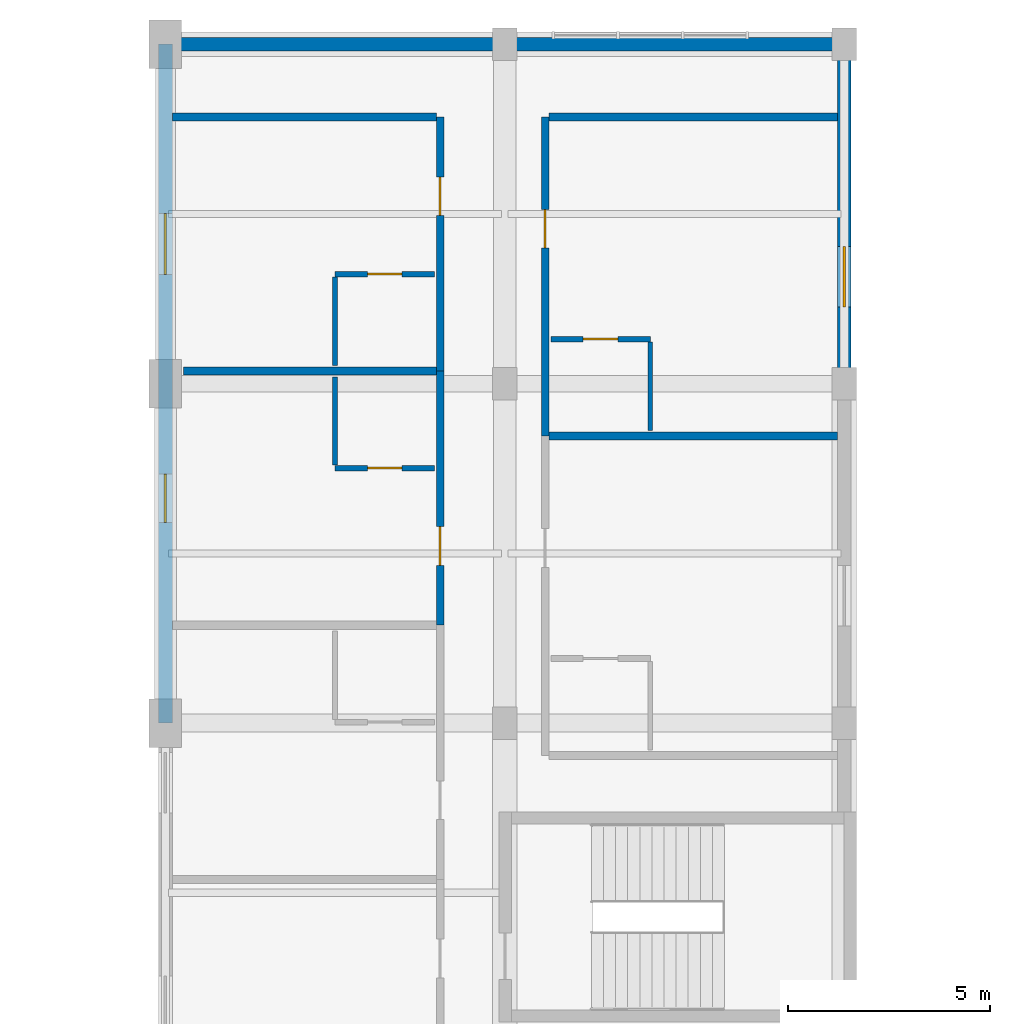
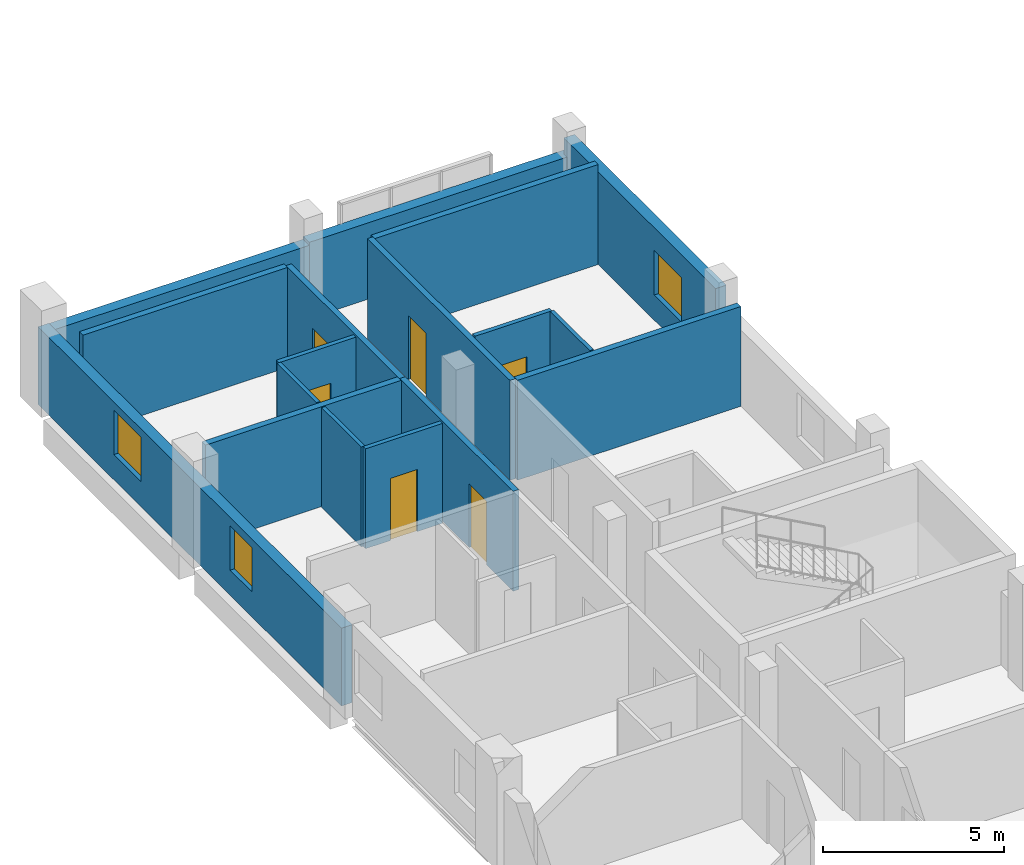
# One storey, part 21 of 26: 17 walls, 6 doors, 3 windows, 9 openings.
"""IFC4 building model written with IfcOpenShell, lengths in metres."""

from ifc_helpers import new_model, si_unit, derived_unit, direction, frame, frame_2d, origin, place, context, subcontext, project, spatial, rectangle, extrude, material, layer, layer_set, type_object, element, fill, save


model = new_model("IFC4")

# Units and contexts
model_context = context("Model", 3, precision=1e-05, world=origin(), true_north=direction((0.0, 1.0)))
body_context = subcontext(model_context, "Body", "Model", "MODEL_VIEW")
ifc_project = project(units=[si_unit("LENGTHUNIT", "METRE"), si_unit("AREAUNIT", "SQUARE_METRE"), si_unit("VOLUMEUNIT", "CUBIC_METRE"), si_unit("PLANEANGLEUNIT", "RADIAN"), si_unit("MASSUNIT", "GRAM", prefix="KILO"), derived_unit("THERMALTRANSMITTANCEUNIT", [(si_unit("POWERUNIT", "WATT"), 1), (si_unit("LENGTHUNIT", "METRE"), -2), (si_unit("THERMODYNAMICTEMPERATUREUNIT", "KELVIN"), -1)])], contexts=[model_context])

# Site, building, storey
site_placement = place(None, origin())
site = spatial("IfcSite", under=ifc_project, at=site_placement, CompositionType="ELEMENT")
building_placement = place(site_placement, origin())
building = spatial("IfcBuilding", under=site, at=building_placement, Name="Barrovel Congress Hotel", CompositionType="ELEMENT")
storey_placement = place(building_placement, frame((0.0, 0.0, 21.89990234375)))
storey = spatial("IfcBuildingStorey", under=building, at=storey_placement, Name="L05", CompositionType="ELEMENT", Elevation=21.89990234375)

# Wall, opening, window
ifc_material_1 = material(Name="Fired Clay Brick Masonry", Category="masonry")
ifc_layer_1 = layer(ifc_material_1, 0.340087890625)
ifc_layer_set_1 = layer_set([ifc_layer_1], Name="Fired Clay Brick Masonry")
wall_type_1 = type_object("IfcWallType", Name="EW-BRK340", PredefinedType="STANDARD", material=ifc_layer_set_1)
wall_1_placement = place(storey_placement, frame((50.39990234375, 71.39990234375, 0.0), z_axis=(0.0, 0.0, 1.0), x_axis=(0.0, 1.0, 0.0)))
wall_1 = element("IfcWall", 1, at=wall_1_placement, inside=storey, type_object=wall_type_1, Name="EW:L05:HW-E-2", PredefinedType="STANDARD", context=body_context, shape_type="SweptSolid", body=[
    extrude(rectangle(XDim=8.400146484375, YDim=0.340087890625, at=frame_2d((4.2001953125, 0.0))), origin(), (0.0, 0.0, 1.0), 3.1259765625),
])
opening_1_placement = place(wall_1_placement, frame((1.89990234375, 0.0, 0.85009765625)))
opening_1 = element("IfcOpeningElement", 2, at=opening_1_placement, cuts=wall_1, Name="Opening WN-07", PredefinedType="OPENING", context=body_context, shape_type="SweptSolid", body=[
    extrude(rectangle(XDim=1.5, YDim=1.5, at=frame_2d((0.75, 0.75))), frame((0.0, 0.18017578125, 0.0), z_axis=(0.0, -1.0, 0.0), x_axis=(1.0, 0.0, 0.0)), (0.0, 0.0, 1.0), 0.360107421875),
])
ifc_material_2 = material(Name="Double Low-E Insulated Glazing", Category="glass")
window_type_1 = type_object("IfcWindowType", Name="WIN-WN-07", PartitioningType="SINGLE_PANEL", PredefinedType="WINDOW", material=ifc_material_2)
window_1_placement = place(opening_1_placement, origin())
window_1 = element("IfcWindow", 3, at=window_1_placement, inside=storey, type_object=window_type_1, Name="WIN:L05:U48", OverallHeight=1.5, OverallWidth=1.5, PartitioningType="SINGLE_PANEL", PredefinedType="WINDOW", context=body_context, shape_type="SweptSolid", body=[
    extrude(rectangle(XDim=1.5, YDim=1.5, at=frame_2d((0.75, 0.75))), frame((0.0, 0.030029296875, 0.0), z_axis=(0.0, -1.0, 0.0), x_axis=(1.0, 0.0, 0.0)), (0.0, 0.0, 1.0), 0.06005859375),
])
fill(opening_1, window_1)

# Walls
wall_2_placement = place(storey_placement, frame((50.39990234375, 79.800048828125, 0.0), z_axis=(0.0, 0.0, 1.0), x_axis=(-1.0, 0.0, 0.0)))
element("IfcWall", 4, at=wall_2_placement, inside=storey, type_object=wall_type_1, Name="EW:L05:HW-N", PredefinedType="STANDARD", context=body_context, shape_type="SweptSolid", body=[
    extrude(rectangle(XDim=8.39990234375, YDim=0.340087890625, at=frame_2d((4.199951171875, 0.0))), origin(), (0.0, 0.0, 1.0), 2.580078125),
])
wall_3_placement = place(storey_placement, frame((42.0, 79.800048828125, 0.0), z_axis=(0.0, 0.0, 1.0), x_axis=(-1.0, 0.0, 0.0)))
element("IfcWall", 5, at=wall_3_placement, inside=storey, type_object=wall_type_1, Name="EW:L05:HW-N:P02", PredefinedType="STANDARD", context=body_context, shape_type="SweptSolid", body=[
    extrude(rectangle(XDim=8.39990234375, YDim=0.340087890625, at=frame_2d((4.199951171875, 0.0))), origin(), (0.0, 0.0, 1.0), 2.47998046875),
])

# Wall, openings, windows
wall_4_placement = place(storey_placement, frame((33.60009765625, 79.800048828125, 0.0), z_axis=(0.0, 0.0, 1.0), x_axis=(0.0, -1.0, 0.0)))
wall_4 = element("IfcWall", 6, at=wall_4_placement, inside=storey, type_object=wall_type_1, Name="EW:L05:HW-W:P01", PredefinedType="STANDARD", context=body_context, shape_type="SweptSolid", body=[
    extrude(rectangle(XDim=16.800048828125, YDim=0.340087890625, at=frame_2d((8.39990234375, 0.0))), origin(), (0.0, 0.0, 1.0), 2.630126953125),
])
opening_2_placement = place(wall_4_placement, frame((10.63330078125, 0.0, 0.85009765625)))
opening_2 = element("IfcOpeningElement", 7, at=opening_2_placement, cuts=wall_4, Name="Opening WN-06", PredefinedType="OPENING", context=body_context, shape_type="SweptSolid", body=[
    extrude(rectangle(XDim=1.199951171875, YDim=1.5, at=frame_2d((0.60009765625, 0.75))), frame((0.0, 0.18017578125, 0.0), z_axis=(0.0, -1.0, 0.0), x_axis=(1.0, 0.0, 0.0)), (0.0, 0.0, 1.0), 0.360107421875),
])
opening_3_placement = place(wall_4_placement, frame((4.194580078125, 0.0, 0.85009765625)))
opening_3 = element("IfcOpeningElement", 8, at=opening_3_placement, cuts=wall_4, Name="Opening WN-07", PredefinedType="OPENING", context=body_context, shape_type="SweptSolid", body=[
    extrude(rectangle(XDim=1.5, YDim=1.5, at=frame_2d((0.75, 0.75))), frame((0.0, 0.18017578125, 0.0), z_axis=(0.0, -1.0, 0.0), x_axis=(1.0, 0.0, 0.0)), (0.0, 0.0, 1.0), 0.360107421875),
])
window_type_2 = type_object("IfcWindowType", Name="WIN-WN-06", PartitioningType="SINGLE_PANEL", PredefinedType="WINDOW", material=ifc_material_2)
window_2_placement = place(opening_2_placement, origin())
window_2 = element("IfcWindow", 9, at=window_2_placement, inside=storey, type_object=window_type_2, Name="WIN:L05:U40", OverallHeight=1.5, OverallWidth=1.199951171875, PartitioningType="SINGLE_PANEL", PredefinedType="WINDOW", context=body_context, shape_type="SweptSolid", body=[
    extrude(rectangle(XDim=1.199951171875, YDim=1.5, at=frame_2d((0.60009765625, 0.75))), frame((0.0, 0.030029296875, 0.0), z_axis=(0.0, -1.0, 0.0), x_axis=(1.0, 0.0, 0.0)), (0.0, 0.0, 1.0), 0.06005859375),
])
fill(opening_2, window_2)
window_3_placement = place(opening_3_placement, origin())
window_3 = element("IfcWindow", 10, at=window_3_placement, inside=storey, type_object=window_type_1, Name="WIN:L05:U41", OverallHeight=1.5, OverallWidth=1.5, PartitioningType="SINGLE_PANEL", PredefinedType="WINDOW", context=body_context, shape_type="SweptSolid", body=[
    extrude(rectangle(XDim=1.5, YDim=1.5, at=frame_2d((0.75, 0.75))), frame((0.0, 0.030029296875, 0.0), z_axis=(0.0, -1.0, 0.0), x_axis=(1.0, 0.0, 0.0)), (0.0, 0.0, 1.0), 0.06005859375),
])
fill(opening_3, window_3)

# Wall, opening, door
ifc_material_3 = material(Name="Gypsum Acoustic Stud", Category="gypsum")
ifc_layer_2 = layer(ifc_material_3, 0.179931640625)
ifc_layer_set_2 = layer_set([ifc_layer_2], Name="Gypsum Acoustic Stud")
wall_type_2 = type_object("IfcWallType", Name="PW-ACU-180", PredefinedType="PARTITIONING", material=ifc_layer_set_2)
wall_5_placement = place(storey_placement, frame((40.39990234375, 65.422119140625, 0.0), z_axis=(0.0, 0.0, 1.0), x_axis=(0.0, 1.0, 0.0)))
wall_5 = element("IfcWall", 11, at=wall_5_placement, inside=storey, type_object=wall_type_2, Name="PW:L05:U40:COR", PredefinedType="PARTITIONING", context=body_context, shape_type="SweptSolid", body=[
    extrude(rectangle(XDim=6.2890625, YDim=0.179931640625, at=frame_2d((3.14453125, 0.0))), origin(), (0.0, 0.0, 1.0), 3.375),
])
opening_4_placement = place(wall_5_placement, frame((1.4794921875, 0.0, 0.0)))
opening_4 = element("IfcOpeningElement", 12, at=opening_4_placement, cuts=wall_5, Name="Opening ID-HTL", PredefinedType="OPENING", context=body_context, shape_type="SweptSolid", body=[
    extrude(rectangle(XDim=0.9599609375, YDim=2.14990234375, at=frame_2d((0.47998046875, 1.074951171875))), frame((0.0, 0.10009765625, 0.0), z_axis=(0.0, -1.0, 0.0), x_axis=(1.0, 0.0, 0.0)), (0.0, 0.0, 1.0), 0.199951171875),
])
ifc_material_4 = material(Name="Solid Oak Acoustic Timber Door", Category="wood")
door_type_1 = type_object("IfcDoorType", Name="IDR-ID-HTL", OperationType="NOTDEFINED", PredefinedType="DOOR", material=ifc_material_4)
door_1_placement = place(opening_4_placement, origin())
door_1 = element("IfcDoor", 13, at=door_1_placement, inside=storey, type_object=door_type_1, Name="DR:L05:U40:ENT", OperationType="SINGLE_SWING_RIGHT", OverallHeight=2.14990234375, OverallWidth=0.9599609375, PredefinedType="DOOR", context=body_context, shape_type="SweptSolid", body=[
    extrude(rectangle(XDim=0.9599609375, YDim=2.14990234375, at=frame_2d((0.47998046875, 1.074951171875))), frame((0.0, 0.02490234375, 0.0), z_axis=(0.0, -1.0, 0.0), x_axis=(1.0, 0.0, 0.0)), (0.0, 0.0, 1.0), 0.050048828125),
])
fill(opening_4, door_1)

wall_6_placement = place(storey_placement, frame((40.39990234375, 71.711181640625, 0.0), z_axis=(0.0, 0.0, 1.0), x_axis=(0.0, 1.0, 0.0)))
wall_6 = element("IfcWall", 14, at=wall_6_placement, inside=storey, type_object=wall_type_2, Name="PW:L05:U41:COR", PredefinedType="PARTITIONING", context=body_context, shape_type="SweptSolid", body=[
    extrude(rectangle(XDim=6.288818359375, YDim=0.179931640625, at=frame_2d((3.14453125, 0.0))), origin(), (0.0, 0.0, 1.0), 3.375),
])
opening_5_placement = place(wall_6_placement, frame((3.849365234375, 0.0, 0.0)))
opening_5 = element("IfcOpeningElement", 15, at=opening_5_placement, cuts=wall_6, Name="Opening ID-HTL", PredefinedType="OPENING", context=body_context, shape_type="SweptSolid", body=[
    extrude(rectangle(XDim=0.9599609375, YDim=2.14990234375, at=frame_2d((0.47998046875, 1.074951171875))), frame((0.0, 0.10009765625, 0.0), z_axis=(0.0, -1.0, 0.0), x_axis=(1.0, 0.0, 0.0)), (0.0, 0.0, 1.0), 0.199951171875),
])
door_2_placement = place(opening_5_placement, origin())
door_2 = element("IfcDoor", 16, at=door_2_placement, inside=storey, type_object=door_type_1, Name="DR:L05:U41:ENT", OperationType="SINGLE_SWING_RIGHT", OverallHeight=2.14990234375, OverallWidth=0.9599609375, PredefinedType="DOOR", context=body_context, shape_type="SweptSolid", body=[
    extrude(rectangle(XDim=0.9599609375, YDim=2.14990234375, at=frame_2d((0.47998046875, 1.074951171875))), frame((0.0, 0.02490234375, 0.0), z_axis=(0.0, -1.0, 0.0), x_axis=(1.0, 0.0, 0.0)), (0.0, 0.0, 1.0), 0.050048828125),
])
fill(opening_5, door_2)

wall_7_placement = place(storey_placement, frame((43.0, 70.10009765625, 0.0), z_axis=(0.0, 0.0, 1.0), x_axis=(0.0, 1.0, 0.0)))
wall_7 = element("IfcWall", 17, at=wall_7_placement, inside=storey, type_object=wall_type_2, Name="PW:L05:U48:COR", PredefinedType="PARTITIONING", context=body_context, shape_type="SweptSolid", body=[
    extrude(rectangle(XDim=7.89990234375, YDim=0.179931640625, at=frame_2d((3.949951171875, 0.0))), origin(), (0.0, 0.0, 1.0), 3.375),
])
opening_6_placement = place(wall_7_placement, frame((4.655029296875, 0.0, 0.0)))
opening_6 = element("IfcOpeningElement", 18, at=opening_6_placement, cuts=wall_7, Name="Opening ID-HTL", PredefinedType="OPENING", context=body_context, shape_type="SweptSolid", body=[
    extrude(rectangle(XDim=0.9599609375, YDim=2.14990234375, at=frame_2d((0.47998046875, 1.074951171875))), frame((0.0, 0.10009765625, 0.0), z_axis=(0.0, -1.0, 0.0), x_axis=(1.0, 0.0, 0.0)), (0.0, 0.0, 1.0), 0.199951171875),
])
door_3_placement = place(opening_6_placement, origin())
door_3 = element("IfcDoor", 19, at=door_3_placement, inside=storey, type_object=door_type_1, Name="DR:L05:U48:ENT", OperationType="SINGLE_SWING_RIGHT", OverallHeight=2.14990234375, OverallWidth=0.9599609375, PredefinedType="DOOR", context=body_context, shape_type="SweptSolid", body=[
    extrude(rectangle(XDim=0.9599609375, YDim=2.14990234375, at=frame_2d((0.47998046875, 1.074951171875))), frame((0.0, 0.02490234375, 0.0), z_axis=(0.0, -1.0, 0.0), x_axis=(1.0, 0.0, 0.0)), (0.0, 0.0, 1.0), 0.050048828125),
])
fill(opening_6, door_3)

# Walls
ifc_layer_3 = layer(ifc_material_3, 0.1201171875)
ifc_layer_set_3 = layer_set([ifc_layer_3], Name="Gypsum Acoustic Stud")
wall_type_3 = type_object("IfcWallType", Name="PW-INT-120", PredefinedType="PARTITIONING", material=ifc_layer_set_3)
for number, where, z_axis, x_axis, name in (
    (20, (37.800048828125, 69.381103515625, 0.0), (0.0, 0.0, 1.0), (0.0, 1.0, 0.0), "PW:L05:U40:B2"),
    (21, (37.800048828125, 71.85107421875, 0.0), (0.0, 0.0, 1.0), (0.0, 1.0, 0.0), "PW:L05:U41:B2"),
    (22, (45.60009765625, 70.239990234375, 0.0), (0.0, 0.0, 1.0), (0.0, 1.0, 0.0), "PW:L05:U48:B2"),
):
    element("IfcWall", number, at=place(storey_placement, frame(where, z_axis=z_axis, x_axis=x_axis)), inside=storey, type_object=wall_type_3, Name=name, PredefinedType="PARTITIONING", context=body_context, shape_type="SweptSolid", body=[
        extrude(rectangle(XDim=2.18994140625, YDim=0.1201171875, at=frame_2d((1.094970703125, 0.0))), origin(), (0.0, 0.0, 1.0), 3.375),
    ])
ifc_layer_4 = layer(ifc_material_1, 0.199951171875)
ifc_layer_set_4 = layer_set([ifc_layer_4], Name="Fired Clay Brick Masonry")
wall_type_4 = type_object("IfcWallType", Name="PW-MAS-200", PredefinedType="PARTITIONING", material=ifc_layer_set_4)
wall_8_placement = place(storey_placement, frame((34.050048828125, 71.711181640625, 0.0), z_axis=(0.0, 0.0, 1.0), x_axis=(1.0, 0.0, 0.0)))
element("IfcWall", 23, at=wall_8_placement, inside=storey, type_object=wall_type_4, Name="PW:L05:U40:DEM", PredefinedType="PARTITIONING", context=body_context, shape_type="SweptSolid", body=[
    extrude(rectangle(XDim=6.260009765625, YDim=0.199951171875, at=frame_2d((3.1298828125, 0.0))), origin(), (0.0, 0.0, 1.0), 3.375),
])
wall_9_placement = place(storey_placement, frame((33.77001953125, 78.0, 0.0), z_axis=(0.0, 0.0, 1.0), x_axis=(1.0, 0.0, 0.0)))
element("IfcWall", 24, at=wall_9_placement, inside=storey, type_object=wall_type_4, Name="PW:L05:U41:DEM", PredefinedType="PARTITIONING", context=body_context, shape_type="SweptSolid", body=[
    extrude(rectangle(XDim=6.5400390625, YDim=0.199951171875, at=frame_2d((3.27001953125, 0.0))), origin(), (0.0, 0.0, 1.0), 3.375),
])
for number, where, z_axis, x_axis, name in (
    (25, (43.090087890625, 70.10009765625, 0.0), (0.0, 0.0, 1.0), (1.0, 0.0, 0.0), "PW:L05:U47:DEM"),
    (26, (43.090087890625, 78.0, 0.0), (0.0, 0.0, 1.0), (1.0, 0.0, 0.0), "PW:L05:U48:DEM"),
):
    element("IfcWall", number, at=place(storey_placement, frame(where, z_axis=z_axis, x_axis=x_axis)), inside=storey, type_object=wall_type_4, Name=name, PredefinedType="PARTITIONING", context=body_context, shape_type="SweptSolid", body=[
        extrude(rectangle(XDim=7.139892578125, YDim=0.199951171875, at=frame_2d((3.56982421875, 0.0))), origin(), (0.0, 0.0, 1.0), 3.375),
    ])

# Wall, opening, door
ifc_material_5 = material(Name="Gypsum Moisture Board", Category="gypsum")
ifc_layer_5 = layer(ifc_material_5, 0.139892578125)
ifc_layer_set_5 = layer_set([ifc_layer_5], Name="Gypsum Moisture Board")
wall_type_5 = type_object("IfcWallType", Name="PW-WET-140", PredefinedType="PARTITIONING", material=ifc_layer_set_5)
wall_10_placement = place(storey_placement, frame((37.800048828125, 69.31103515625, 0.0), z_axis=(0.0, 0.0, 1.0), x_axis=(1.0, 0.0, 0.0)))
wall_10 = element("IfcWall", 27, at=wall_10_placement, inside=storey, type_object=wall_type_5, Name="PW:L05:U40:B1", PredefinedType="PARTITIONING", context=body_context, shape_type="SweptSolid", body=[
    extrude(rectangle(XDim=2.4599609375, YDim=0.139892578125, at=frame_2d((1.22998046875, 0.0))), origin(), (0.0, 0.0, 1.0), 3.375),
])
opening_7_placement = place(wall_10_placement, frame((0.800048828125, 0.0, 0.0)))
opening_7 = element("IfcOpeningElement", 28, at=opening_7_placement, cuts=wall_10, Name="Opening ID-ENS", PredefinedType="OPENING", context=body_context, shape_type="SweptSolid", body=[
    extrude(rectangle(XDim=0.860107421875, YDim=2.10009765625, at=frame_2d((0.43017578125, 1.050048828125))), frame((0.0, 0.080078125, 0.0), z_axis=(0.0, -1.0, 0.0), x_axis=(1.0, 0.0, 0.0)), (0.0, 0.0, 1.0), 0.159912109375),
])
ifc_material_6 = material(Name="Lacquered Timber Moisture Door", Category="wood")
door_type_2 = type_object("IfcDoorType", Name="IDR-ID-ENS", OperationType="NOTDEFINED", PredefinedType="DOOR", material=ifc_material_6)
door_4_placement = place(opening_7_placement, origin())
door_4 = element("IfcDoor", 29, at=door_4_placement, inside=storey, type_object=door_type_2, Name="DR:L05:U40:ENS", OperationType="SINGLE_SWING_LEFT", OverallHeight=2.10009765625, OverallWidth=0.860107421875, PredefinedType="DOOR", context=body_context, shape_type="SweptSolid", body=[
    extrude(rectangle(XDim=0.860107421875, YDim=2.10009765625, at=frame_2d((0.43017578125, 1.050048828125))), frame((0.0, 0.02490234375, 0.0), z_axis=(0.0, -1.0, 0.0), x_axis=(1.0, 0.0, 0.0)), (0.0, 0.0, 1.0), 0.050048828125),
])
fill(opening_7, door_4)

wall_11_placement = place(storey_placement, frame((37.800048828125, 74.111083984375, 0.0), z_axis=(0.0, 0.0, 1.0), x_axis=(1.0, 0.0, 0.0)))
wall_11 = element("IfcWall", 30, at=wall_11_placement, inside=storey, type_object=wall_type_5, Name="PW:L05:U41:B1", PredefinedType="PARTITIONING", context=body_context, shape_type="SweptSolid", body=[
    extrude(rectangle(XDim=2.4599609375, YDim=0.139892578125, at=frame_2d((1.22998046875, 0.0))), origin(), (0.0, 0.0, 1.0), 3.375),
])
opening_8_placement = place(wall_11_placement, frame((0.800048828125, 0.0, 0.0)))
opening_8 = element("IfcOpeningElement", 31, at=opening_8_placement, cuts=wall_11, Name="Opening ID-ENS", PredefinedType="OPENING", context=body_context, shape_type="SweptSolid", body=[
    extrude(rectangle(XDim=0.860107421875, YDim=2.10009765625, at=frame_2d((0.43017578125, 1.050048828125))), frame((0.0, 0.080078125, 0.0), z_axis=(0.0, -1.0, 0.0), x_axis=(1.0, 0.0, 0.0)), (0.0, 0.0, 1.0), 0.159912109375),
])
door_5_placement = place(opening_8_placement, origin())
door_5 = element("IfcDoor", 32, at=door_5_placement, inside=storey, type_object=door_type_2, Name="DR:L05:U41:ENS", OperationType="SINGLE_SWING_LEFT", OverallHeight=2.10009765625, OverallWidth=0.860107421875, PredefinedType="DOOR", context=body_context, shape_type="SweptSolid", body=[
    extrude(rectangle(XDim=0.860107421875, YDim=2.10009765625, at=frame_2d((0.43017578125, 1.050048828125))), frame((0.0, 0.02490234375, 0.0), z_axis=(0.0, -1.0, 0.0), x_axis=(1.0, 0.0, 0.0)), (0.0, 0.0, 1.0), 0.050048828125),
])
fill(opening_8, door_5)

wall_12_placement = place(storey_placement, frame((43.139892578125, 72.5, 0.0), z_axis=(0.0, 0.0, 1.0), x_axis=(1.0, 0.0, 0.0)))
wall_12 = element("IfcWall", 33, at=wall_12_placement, inside=storey, type_object=wall_type_5, Name="PW:L05:U48:B1", PredefinedType="PARTITIONING", context=body_context, shape_type="SweptSolid", body=[
    extrude(rectangle(XDim=2.460205078125, YDim=0.139892578125, at=frame_2d((1.22998046875, 0.0))), origin(), (0.0, 0.0, 1.0), 3.375),
])
opening_9_placement = place(wall_12_placement, frame((0.800048828125, 0.0, 0.0)))
opening_9 = element("IfcOpeningElement", 34, at=opening_9_placement, cuts=wall_12, Name="Opening ID-ENS", PredefinedType="OPENING", context=body_context, shape_type="SweptSolid", body=[
    extrude(rectangle(XDim=0.860107421875, YDim=2.10009765625, at=frame_2d((0.43017578125, 1.050048828125))), frame((0.0, 0.080078125, 0.0), z_axis=(0.0, -1.0, 0.0), x_axis=(1.0, 0.0, 0.0)), (0.0, 0.0, 1.0), 0.159912109375),
])
door_6_placement = place(opening_9_placement, origin())
door_6 = element("IfcDoor", 35, at=door_6_placement, inside=storey, type_object=door_type_2, Name="DR:L05:U48:ENS", OperationType="SINGLE_SWING_LEFT", OverallHeight=2.10009765625, OverallWidth=0.860107421875, PredefinedType="DOOR", context=body_context, shape_type="SweptSolid", body=[
    extrude(rectangle(XDim=0.860107421875, YDim=2.10009765625, at=frame_2d((0.43017578125, 1.050048828125))), frame((0.0, 0.02490234375, 0.0), z_axis=(0.0, -1.0, 0.0), x_axis=(1.0, 0.0, 0.0)), (0.0, 0.0, 1.0), 0.050048828125),
])
fill(opening_9, door_6)

save(model, "model.ifc")
